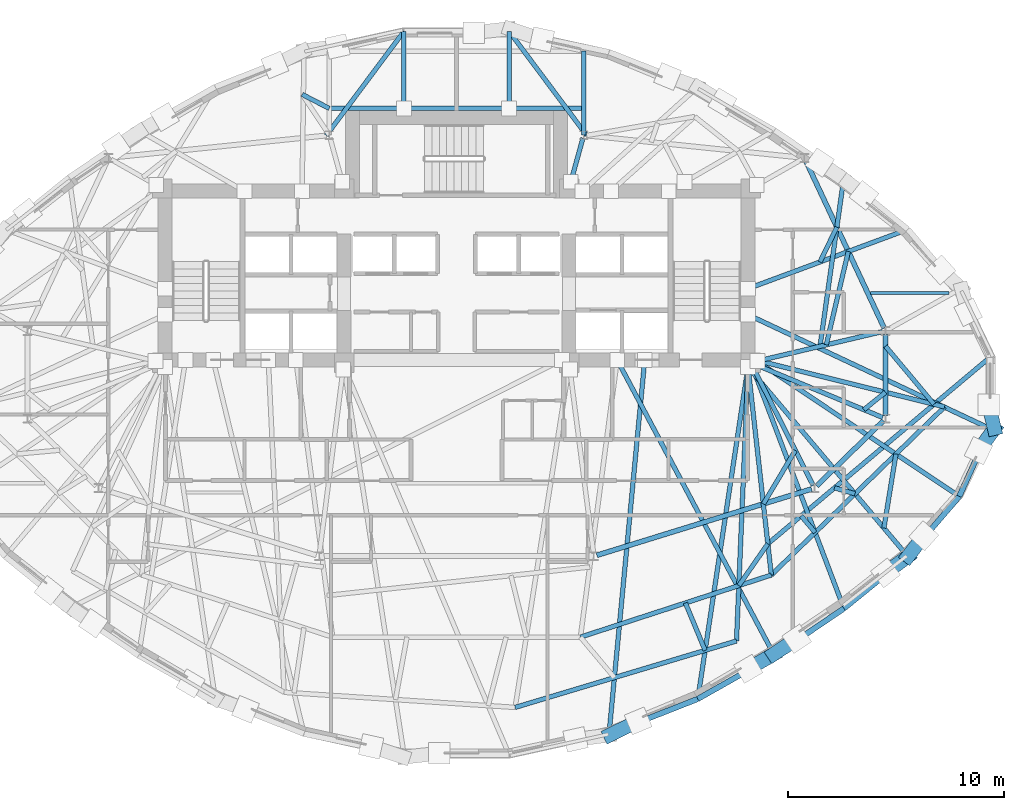
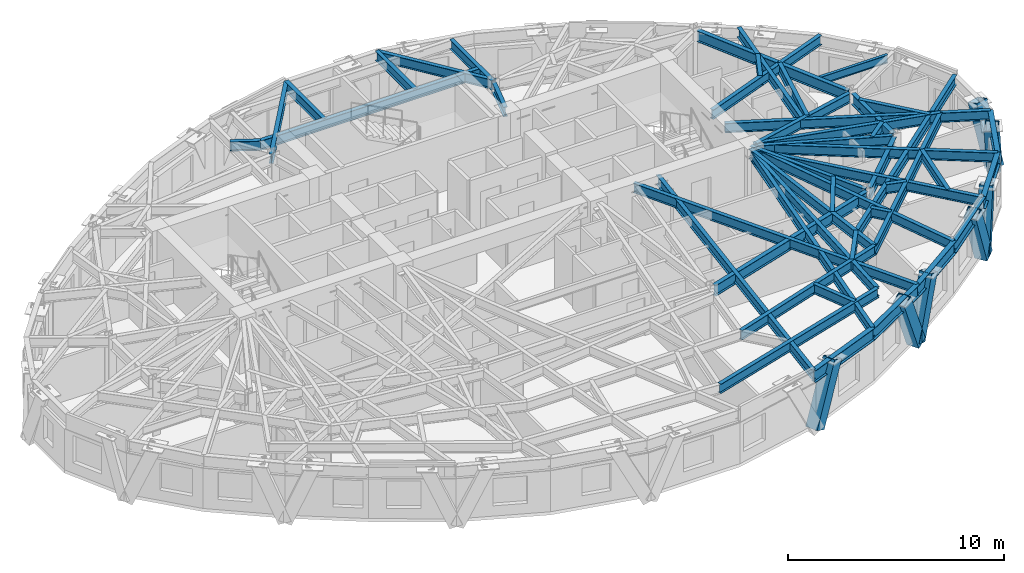
# One storey, part 3 of 14: 48 beams, 7 members.
"""IFC4 building model written with IfcOpenShell, lengths in metres."""

from ifc_helpers import new_model, si_unit, direction, frame, origin, origin_2d, place, context, subcontext, project, spatial, hollow_rectangle, i_section, extrude, material, material_profile, profile_set, type_object, element, save


model = new_model("IFC4")

# Units and contexts
model_context = context("Model", 3, precision=1e-05, world=origin(), true_north=direction((0.0, 1.0)))
body_context = subcontext(model_context, "Body", "Model", "MODEL_VIEW")
ifc_project = project(units=[si_unit("LENGTHUNIT", "METRE"), si_unit("AREAUNIT", "SQUARE_METRE"), si_unit("VOLUMEUNIT", "CUBIC_METRE"), si_unit("PLANEANGLEUNIT", "RADIAN"), si_unit("MASSUNIT", "GRAM", prefix="KILO")], contexts=[model_context])

# Site, building, storey
site_placement = place(None, origin())
site = spatial("IfcSite", under=ifc_project, at=site_placement, CompositionType="ELEMENT")
building_placement = place(site_placement, origin())
building = spatial("IfcBuilding", under=site, at=building_placement, Name="Keldmark Tower", CompositionType="ELEMENT")
storey_placement = place(building_placement, frame((0.0, 0.0, 185.39990234375)))
storey = spatial("IfcBuildingStorey", under=building, at=storey_placement, Name="L51", CompositionType="ELEMENT", Elevation=185.39990234375)

# Beam
ifc_material_1 = material(Name="Steel ASTM A992 Grade 50", Category="steel")
ifc_material_profile_1 = material_profile(ifc_material_1, i_section(OverallWidth=0.153076171875, OverallDepth=0.455078125, WebThickness=0.008056640625, FlangeThickness=0.01318359375, at=origin_2d()), Name="W18X40")
ifc_profile_set_1 = profile_set([ifc_material_profile_1], Name="Steel ASTM A992 Grade 50")
beam_type_1 = type_object("IfcBeamType", Name="Composite Floor Joist W18X40", PredefinedType="JOIST", material=ifc_profile_set_1)
beam_1_placement = place(storey_placement, frame((19.12451171875, 4.6201171875, 2.79248046875), z_axis=(1.0, 0.0, 0.0), x_axis=(0.0, 1.0, 0.0)))
element("IfcBeam", 1, at=beam_1_placement, inside=storey, type_object=beam_type_1, Name="L51 Composite Floor Joist J04", PredefinedType="JOIST", context=body_context, shape_type="SweptSolid", body=[
    extrude(i_section(OverallWidth=0.153076171875, OverallDepth=0.455078125, WebThickness=0.008056640625, FlangeThickness=0.01318359375, at=origin_2d()), origin(), (0.0, 0.0, 1.0), 3.628662109375),
])

# Members
ifc_material_2 = material(Name="Steel ASTM A572 Grade 50", Category="steel")
ifc_material_profile_2 = material_profile(ifc_material_2, hollow_rectangle(XDim=0.64990234375, YDim=0.64990234375, WallThickness=0.0400390625, at=origin_2d()), Name="BOX650X650X40")
ifc_profile_set_2 = profile_set([ifc_material_profile_2], Name="Steel ASTM A572 Grade 50")
member_type = type_object("IfcMemberType", Name="Diagrid Zone 3 Brace BOX650X650X40", PredefinedType="BRACE", material=ifc_profile_set_2)
member_1_placement = place(storey_placement, frame((7.083984375, -15.813232421875, -0.260009765625), z_axis=(0.377487237474, 0.187342404047, 0.906866147339), x_axis=(-0.44455162306, 0.895753233003, 0.0)))
element("IfcMember", 2, at=member_1_placement, inside=storey, type_object=member_type, Name="L51 Perimeter Diagrid Brace 13B", PredefinedType="BRACE", context=body_context, shape_type="SweptSolid", body=[
    extrude(hollow_rectangle(XDim=0.64990234375, YDim=0.64990234375, WallThickness=0.0400390625, at=origin_2d()), origin(), (0.0, 0.0, 1.0), 3.484619140625),
])
member_2_placement = place(storey_placement, frame((14.654541015625, -12.075927734375, -0.260009765625), z_axis=(-0.340100978366, -0.197397790075, 0.919437565574), x_axis=(0.501982989483, -0.864877493215, 0.0)))
element("IfcMember", 3, at=member_2_placement, inside=storey, type_object=member_type, Name="L51 Perimeter Diagrid Brace 14A", PredefinedType="BRACE", context=body_context, shape_type="SweptSolid", body=[
    extrude(hollow_rectangle(XDim=0.64990234375, YDim=0.64990234375, WallThickness=0.0400390625, at=origin_2d()), origin(), (0.0, 0.0, 1.0), 3.43701171875),
])
member_3_placement = place(storey_placement, frame((14.644775390625, -12.08251953125, -0.260009765625), z_axis=(0.316813120442, 0.209469717125, 0.925068583578), x_axis=(-0.551526230064, 0.834157549598, 0.0)))
element("IfcMember", 4, at=member_3_placement, inside=storey, type_object=member_type, Name="L51 Perimeter Diagrid Brace 14B", PredefinedType="BRACE", context=body_context, shape_type="SweptSolid", body=[
    extrude(hollow_rectangle(XDim=0.64990234375, YDim=0.64990234375, WallThickness=0.0400390625, at=origin_2d()), origin(), (0.0, 0.0, 1.0), 3.416015625),
])
member_4_placement = place(storey_placement, frame((20.87646484375, -7.54345703125, -0.260009765625), z_axis=(-0.305871065271, -0.227885727126, 0.924397634572), x_axis=(0.597450633982, -0.801905692681, 0.0)))
element("IfcMember", 5, at=member_4_placement, inside=storey, type_object=member_type, Name="L51 Perimeter Diagrid Brace 15A", PredefinedType="BRACE", context=body_context, shape_type="SweptSolid", body=[
    extrude(hollow_rectangle(XDim=0.64990234375, YDim=0.64990234375, WallThickness=0.0400390625, at=origin_2d()), origin(), (0.0, 0.0, 1.0), 3.418701171875),
])
member_5_placement = place(storey_placement, frame((20.8701171875, -7.55322265625, -0.260009765625), z_axis=(0.216571712892, 0.280647466507, 0.935058122642), x_axis=(-0.791683692694, 0.610931199664, 0.0)))
element("IfcMember", 6, at=member_5_placement, inside=storey, type_object=member_type, Name="L51 Perimeter Diagrid Brace 15B", PredefinedType="BRACE", context=body_context, shape_type="SweptSolid", body=[
    extrude(hollow_rectangle(XDim=0.64990234375, YDim=0.64990234375, WallThickness=0.0400390625, at=origin_2d()), origin(), (0.0, 0.0, 1.0), 3.379638671875),
])
member_6_placement = place(storey_placement, frame((24.865478515625, -1.646728515625, -0.260009765625), z_axis=(-0.216765008416, -0.301620403835, 0.928460049284), x_axis=(0.812046830556, -0.583592276323, 0.0)))
element("IfcMember", 7, at=member_6_placement, inside=storey, type_object=member_type, Name="L51 Perimeter Diagrid Brace 16A", PredefinedType="BRACE", context=body_context, shape_type="SweptSolid", body=[
    extrude(hollow_rectangle(XDim=0.64990234375, YDim=0.64990234375, WallThickness=0.0400390625, at=origin_2d()), origin(), (0.0, 0.0, 1.0), 3.403564453125),
])
member_7_placement = place(storey_placement, frame((24.863037109375, -1.658203125, -0.260009765625), z_axis=(-0.078726859085, 0.331756727213, 0.940074228775), x_axis=(-0.97297963137, -0.230890963311, 0.0)))
element("IfcMember", 8, at=member_7_placement, inside=storey, type_object=member_type, Name="L51 Perimeter Diagrid Brace 16B", PredefinedType="BRACE", context=body_context, shape_type="SweptSolid", body=[
    extrude(hollow_rectangle(XDim=0.64990234375, YDim=0.64990234375, WallThickness=0.0400390625, at=origin_2d()), origin(), (0.0, 0.0, 1.0), 3.361572265625),
])

# Beams
ifc_material_3 = material(Name="Steel ASTM A992 Grade 50", Category="steel")
ifc_material_profile_3 = material_profile(ifc_material_3, i_section(OverallWidth=0.22900390625, OverallDepth=0.612060546875, WebThickness=0.011962890625, FlangeThickness=0.01953125, at=origin_2d()), Name="W24X84")
ifc_profile_set_3 = profile_set([ifc_material_profile_3], Name="Steel ASTM A992 Grade 50")
beam_type_2 = type_object("IfcBeamType", Name="Primary Floor Girder W24X84", PredefinedType="BEAM", material=ifc_profile_set_3)
beam_2_placement = place(storey_placement, frame((19.76904296875, 2.99609375, 2.714111328125), z_axis=(-0.424526823774, 0.905415360979, 0.0), x_axis=(-0.905415360979, -0.424526823774, 0.0)))
element("IfcBeam", 9, at=beam_2_placement, inside=storey, type_object=beam_type_2, Name="L51 Floor Ring Girder FG-R01", PredefinedType="BEAM", context=body_context, shape_type="SweptSolid", body=[
    extrude(i_section(OverallWidth=0.22900390625, OverallDepth=0.612060546875, WebThickness=0.011962890625, FlangeThickness=0.01953125, at=origin_2d()), origin(), (0.0, 0.0, 1.0), 8.54638671875),
])
beam_3_placement = place(storey_placement, frame((6.485107421875, -7.5048828125, 2.714111328125), z_axis=(0.955494563145, 0.295008711398, 0.0), x_axis=(-0.295008711398, 0.955494563145, 0.0)))
element("IfcBeam", 10, at=beam_3_placement, inside=storey, type_object=beam_type_2, Name="L51 Floor Ring Girder FG-R10", PredefinedType="BEAM", context=body_context, shape_type="SweptSolid", body=[
    extrude(i_section(OverallWidth=0.22900390625, OverallDepth=0.612060546875, WebThickness=0.011962890625, FlangeThickness=0.01953125, at=origin_2d()), origin(), (0.0, 0.0, 1.0), 10.39013671875),
])
beam_4_placement = place(storey_placement, frame((16.646728515625, -4.300537109375, 2.714111328125), z_axis=(0.714964509815, 0.699160746684, 0.0), x_axis=(-0.699160746684, 0.714964509815, 0.0)))
element("IfcBeam", 11, at=beam_4_placement, inside=storey, type_object=beam_type_2, Name="L51 Floor Ring Girder FG-R11", PredefinedType="BEAM", context=body_context, shape_type="SweptSolid", body=[
    extrude(i_section(OverallWidth=0.22900390625, OverallDepth=0.612060546875, WebThickness=0.011962890625, FlangeThickness=0.01953125, at=origin_2d()), origin(), (0.0, 0.0, 1.0), 4.31005859375),
])
beam_5_placement = place(storey_placement, frame((19.828369140625, -1.04931640625, 2.714111328125), z_axis=(0.0, 1.0, 0.0), x_axis=(-1.0, 0.0, 0.0)))
element("IfcBeam", 12, at=beam_5_placement, inside=storey, type_object=beam_type_2, Name="L51 Floor Ring Girder FG-R12", PredefinedType="BEAM", context=body_context, shape_type="SweptSolid", body=[
    extrude(i_section(OverallWidth=0.22900390625, OverallDepth=0.612060546875, WebThickness=0.011962890625, FlangeThickness=0.01953125, at=origin_2d()), origin(), (0.0, 0.0, 1.0), 3.778564453125),
])
ifc_material_4 = material(Name="Steel ASTM A992 Grade 50", Category="steel")
ifc_material_profile_4 = material_profile(ifc_material_4, i_section(OverallWidth=0.2099609375, OverallDepth=0.537109375, WebThickness=0.010986328125, FlangeThickness=0.017333984375, at=origin_2d()), Name="W21X68")
ifc_profile_set_4 = profile_set([ifc_material_profile_4], Name="Steel ASTM A992 Grade 50")
beam_type_3 = type_object("IfcBeamType", Name="Radial Tie Girder W21X68", PredefinedType="BEAM", material=ifc_profile_set_4)
beam_6_placement = place(storey_placement, frame((19.692138671875, 2.837158203125, 2.751708984375), z_axis=(-0.973280062348, -0.229621253887, 0.0), x_axis=(0.229621253887, -0.973280062348, 0.0)))
element("IfcBeam", 13, at=beam_6_placement, inside=storey, type_object=beam_type_3, Name="L51 Floor Radial Girder FG-C01", PredefinedType="BEAM", context=body_context, shape_type="SweptSolid", body=[
    extrude(i_section(OverallWidth=0.2099609375, OverallDepth=0.537109375, WebThickness=0.010986328125, FlangeThickness=0.017333984375, at=origin_2d()), origin(), (0.0, 0.0, 1.0), 5.939208984375),
])
beam_7_placement = place(storey_placement, frame((5.843017578125, 11.7802734375, 2.751708984375), z_axis=(-0.265992411, -0.963975122755, 0.0), x_axis=(0.963975122755, -0.265992411, 0.0)))
element("IfcBeam", 14, at=beam_7_placement, inside=storey, type_object=beam_type_3, Name="L51 Floor Radial Girder FG-C03", PredefinedType="BEAM", context=body_context, shape_type="SweptSolid", body=[
    extrude(i_section(OverallWidth=0.2099609375, OverallDepth=0.537109375, WebThickness=0.010986328125, FlangeThickness=0.017333984375, at=origin_2d()), origin(), (0.0, 0.0, 1.0), 2.09716796875),
])
beam_8_placement = place(storey_placement, frame((16.4833984375, -4.273681640625, 2.751708984375), z_axis=(-0.453036691775, 0.891491870914, 0.0), x_axis=(-0.891491870914, -0.453036691775, 0.0)))
element("IfcBeam", 15, at=beam_8_placement, inside=storey, type_object=beam_type_3, Name="L51 Floor Radial Girder FG-C11", PredefinedType="BEAM", context=body_context, shape_type="SweptSolid", body=[
    extrude(i_section(OverallWidth=0.2099609375, OverallDepth=0.537109375, WebThickness=0.010986328125, FlangeThickness=0.017333984375, at=origin_2d()), origin(), (0.0, 0.0, 1.0), 6.044189453125),
])
beam_9_placement = place(storey_placement, frame((19.69921875, -1.135498046875, 2.751708984375), z_axis=(-0.923393794893, 0.383854008124, 0.0), x_axis=(-0.383854008124, -0.923393794893, 0.0)))
element("IfcBeam", 16, at=beam_9_placement, inside=storey, type_object=beam_type_3, Name="L51 Floor Radial Girder FG-C12", PredefinedType="BEAM", context=body_context, shape_type="SweptSolid", body=[
    extrude(i_section(OverallWidth=0.2099609375, OverallDepth=0.537109375, WebThickness=0.010986328125, FlangeThickness=0.017333984375, at=origin_2d()), origin(), (0.0, 0.0, 1.0), 6.28515625),
])
beam_10_placement = place(storey_placement, frame((15.661865234375, -2.6572265625, 2.751708984375), z_axis=(-0.513610401836, -0.858023516651, 0.0), x_axis=(0.858023516651, -0.513610401836, 0.0)))
element("IfcBeam", 17, at=beam_10_placement, inside=storey, type_object=beam_type_3, Name="L51 Framing Pin Header PH-005", PredefinedType="BEAM", context=body_context, shape_type="SweptSolid", body=[
    extrude(i_section(OverallWidth=0.2099609375, OverallDepth=0.537109375, WebThickness=0.010986328125, FlangeThickness=0.017333984375, at=origin_2d()), origin(), (0.0, 0.0, 1.0), 2.880126953125),
])
beam_11_placement = place(storey_placement, frame((13.47509765625, 1.199951171875, 2.751708984375), z_axis=(0.111093361352, -0.993809974323, 0.0), x_axis=(0.993809974323, 0.111093361352, 0.0)))
element("IfcBeam", 18, at=beam_11_placement, inside=storey, type_object=beam_type_3, Name="L51 Sub-Ring Step Girder STP1-M11", PredefinedType="BEAM", context=body_context, shape_type="SweptSolid", body=[
    extrude(i_section(OverallWidth=0.2099609375, OverallDepth=0.537109375, WebThickness=0.010986328125, FlangeThickness=0.017333984375, at=origin_2d()), origin(), (0.0, 0.0, 1.0), 9.676025390625),
])
beam_12_placement = place(storey_placement, frame((18.82861328125, -0.773681640625, 2.751708984375), z_axis=(0.77873068282, 0.627358369383, 0.0), x_axis=(-0.627358369383, 0.77873068282, 0.0)))
element("IfcBeam", 19, at=beam_12_placement, inside=storey, type_object=beam_type_3, Name="L51 Framing Pin Header PH-006", PredefinedType="BEAM", context=body_context, shape_type="SweptSolid", body=[
    extrude(i_section(OverallWidth=0.2099609375, OverallDepth=0.537109375, WebThickness=0.010986328125, FlangeThickness=0.017333984375, at=origin_2d()), origin(), (0.0, 0.0, 1.0), 1.283935546875),
])
beam_13_placement = place(storey_placement, frame((13.800048828125, 1.52490234375, 2.751708984375), z_axis=(0.97066389738, -0.240440425727, 0.0), x_axis=(0.240440425727, 0.97066389738, 0.0)))
element("IfcBeam", 20, at=beam_13_placement, inside=storey, type_object=beam_type_3, Name="L51 Sub-Ring Step Girder STP1-M12", PredefinedType="BEAM", context=body_context, shape_type="SweptSolid", body=[
    extrude(i_section(OverallWidth=0.2099609375, OverallDepth=0.537109375, WebThickness=0.010986328125, FlangeThickness=0.017333984375, at=origin_2d()), origin(), (0.0, 0.0, 1.0), 9.022705078125),
])
beam_14_placement = place(storey_placement, frame((5.727294921875, -11.28564453125, 2.751708984375), z_axis=(0.950971006034, 0.309280044106, 0.0), x_axis=(-0.309280044106, 0.950971006034, 0.0)))
element("IfcBeam", 21, at=beam_14_placement, inside=storey, type_object=beam_type_3, Name="L51 Perimeter Collector Ring Beam CRG1-M10", PredefinedType="BEAM", context=body_context, shape_type="SweptSolid", body=[
    extrude(i_section(OverallWidth=0.2099609375, OverallDepth=0.537109375, WebThickness=0.010986328125, FlangeThickness=0.017333984375, at=origin_2d()), origin(), (0.0, 0.0, 1.0), 9.277587890625),
])
beam_15_placement = place(storey_placement, frame((14.550048828125, -8.416259765625, 2.751708984375), z_axis=(0.717616387202, 0.696438598025, 0.0), x_axis=(-0.696438598025, 0.717616387202, 0.0)))
element("IfcBeam", 22, at=beam_15_placement, inside=storey, type_object=beam_type_3, Name="L51 Perimeter Collector Ring Beam CRG1-M11", PredefinedType="BEAM", context=body_context, shape_type="SweptSolid", body=[
    extrude(i_section(OverallWidth=0.2099609375, OverallDepth=0.537109375, WebThickness=0.010986328125, FlangeThickness=0.017333984375, at=origin_2d()), origin(), (0.0, 0.0, 1.0), 11.1591796875),
])
beam_16_placement = place(storey_placement, frame((14.388916015625, -6.973876953125, 2.751708984375), z_axis=(-0.570187456036, -0.821514616413, 0.0), x_axis=(0.821514616413, -0.570187456036, 0.0)))
element("IfcBeam", 23, at=beam_16_placement, inside=storey, type_object=beam_type_3, Name="L51 Framing Pin Header PH-010", PredefinedType="BEAM", context=body_context, shape_type="SweptSolid", body=[
    extrude(i_section(OverallWidth=0.2099609375, OverallDepth=0.537109375, WebThickness=0.010986328125, FlangeThickness=0.017333984375, at=origin_2d()), origin(), (0.0, 0.0, 1.0), 2.349853515625),
])
beam_17_placement = place(storey_placement, frame((13.47509765625, 1.199951171875, 2.751708984375), z_axis=(-0.042120809083, -0.999112524915, 0.0), x_axis=(0.999112524915, -0.042120809083, 0.0)))
element("IfcBeam", 24, at=beam_17_placement, inside=storey, type_object=beam_type_3, Name="L51 Sub-Ring Step Girder STP2-M11", PredefinedType="BEAM", context=body_context, shape_type="SweptSolid", body=[
    extrude(i_section(OverallWidth=0.2099609375, OverallDepth=0.537109375, WebThickness=0.010986328125, FlangeThickness=0.017333984375, at=origin_2d()), origin(), (0.0, 0.0, 1.0), 12.67626953125),
])
beam_18_placement = place(storey_placement, frame((2.708984375, -14.53564453125, 2.751708984375), z_axis=(0.957803009493, 0.287425459913, 0.0), x_axis=(-0.287425459913, 0.957803009493, 0.0)))
element("IfcBeam", 25, at=beam_18_placement, inside=storey, type_object=beam_type_3, Name="L51 Perimeter Collector Ring Beam CRG2-M10", PredefinedType="BEAM", context=body_context, shape_type="SweptSolid", body=[
    extrude(i_section(OverallWidth=0.2099609375, OverallDepth=0.537109375, WebThickness=0.010986328125, FlangeThickness=0.017333984375, at=origin_2d()), origin(), (0.0, 0.0, 1.0), 10.682861328125),
])
beam_19_placement = place(storey_placement, frame((19.828369140625, 2.162353515625, 2.751708984375), z_axis=(0.641048404866, -0.767500451218, 0.0), x_axis=(0.767500451218, 0.641048404866, 0.0)))
element("IfcBeam", 26, at=beam_19_placement, inside=storey, type_object=beam_type_3, Name="L51 Framing Pin Header PH-011", PredefinedType="BEAM", context=body_context, shape_type="SweptSolid", body=[
    extrude(i_section(OverallWidth=0.2099609375, OverallDepth=0.537109375, WebThickness=0.010986328125, FlangeThickness=0.017333984375, at=origin_2d()), origin(), (0.0, 0.0, 1.0), 3.500244140625),
])
beam_20_placement = place(storey_placement, frame((14.388916015625, -6.973876953125, 2.751708984375), z_axis=(0.765919331474, 0.642936682477, 0.0), x_axis=(-0.642936682477, 0.765919331474, 0.0)))
element("IfcBeam", 27, at=beam_20_placement, inside=storey, type_object=beam_type_3, Name="L51 Perimeter Radial Tie Girder RT-01", PredefinedType="BEAM", context=body_context, shape_type="SweptSolid", body=[
    extrude(i_section(OverallWidth=0.2099609375, OverallDepth=0.537109375, WebThickness=0.010986328125, FlangeThickness=0.017333984375, at=origin_2d()), origin(), (0.0, 0.0, 1.0), 13.40771484375),
])
beam_21_placement = place(storey_placement, frame((17.0908203125, 2.223388671875, 2.751708984375), z_axis=(0.229401484182, 0.973331885358, 0.0), x_axis=(-0.973331885358, 0.229401484182, 0.0)))
element("IfcBeam", 28, at=beam_21_placement, inside=storey, type_object=beam_type_3, Name="L51 Framing Pin Header PH-012", PredefinedType="BEAM", context=body_context, shape_type="SweptSolid", body=[
    extrude(i_section(OverallWidth=0.2099609375, OverallDepth=0.537109375, WebThickness=0.010986328125, FlangeThickness=0.017333984375, at=origin_2d()), origin(), (0.0, 0.0, 1.0), 4.43359375),
])
beam_22_placement = place(storey_placement, frame((13.47509765625, 4.8212890625, 2.751708984375), z_axis=(0.937641815851, 0.347602970596, 0.0), x_axis=(-0.347602970596, 0.937641815851, 0.0)))
element("IfcBeam", 29, at=beam_22_placement, inside=storey, type_object=beam_type_3, Name="L51 Perimeter Radial Tie Girder RT-03", PredefinedType="BEAM", context=body_context, shape_type="SweptSolid", body=[
    extrude(i_section(OverallWidth=0.2099609375, OverallDepth=0.537109375, WebThickness=0.010986328125, FlangeThickness=0.017333984375, at=origin_2d()), origin(), (0.0, 0.0, 1.0), 7.87890625),
])
beam_23_placement = place(storey_placement, frame((16.799560546875, 6.0537109375, 2.751708984375), z_axis=(0.436648434396, 0.899632227491, 0.0), x_axis=(-0.899632227491, 0.436648434396, 0.0)))
element("IfcBeam", 30, at=beam_23_placement, inside=storey, type_object=beam_type_3, Name="L51 Framing Pin Header PH-013", PredefinedType="BEAM", context=body_context, shape_type="SweptSolid", body=[
    extrude(i_section(OverallWidth=0.2099609375, OverallDepth=0.537109375, WebThickness=0.010986328125, FlangeThickness=0.017333984375, at=origin_2d()), origin(), (0.0, 0.0, 1.0), 1.789306640625),
])
beam_24_placement = place(storey_placement, frame((16.8017578125, 2.1552734375, 2.751708984375), z_axis=(0.140021004726, 0.990148533421, 0.0), x_axis=(-0.990148533421, 0.140021004726, 0.0)))
element("IfcBeam", 31, at=beam_24_placement, inside=storey, type_object=beam_type_3, Name="L51 Perimeter Radial Tie Girder RT-04", PredefinedType="BEAM", context=body_context, shape_type="SweptSolid", body=[
    extrude(i_section(OverallWidth=0.2099609375, OverallDepth=0.537109375, WebThickness=0.010986328125, FlangeThickness=0.017333984375, at=origin_2d()), origin(), (0.0, 0.0, 1.0), 7.884521484375),
])
beam_25_placement = place(storey_placement, frame((8.699951171875, 1.52490234375, 2.751708984375), z_axis=(-0.095077234677, -0.995469898815, 0.0), x_axis=(0.995469898815, -0.095077234677, 0.0)))
element("IfcBeam", 32, at=beam_25_placement, inside=storey, type_object=beam_type_3, Name="L51 Perimeter Radial Tie Girder RT-26", PredefinedType="BEAM", context=body_context, shape_type="SweptSolid", body=[
    extrude(i_section(OverallWidth=0.2099609375, OverallDepth=0.537109375, WebThickness=0.010986328125, FlangeThickness=0.017333984375, at=origin_2d()), origin(), (0.0, 0.0, 1.0), 17.3583984375),
])
beam_26_placement = place(storey_placement, frame((10.579833984375, -9.70751953125, 2.751708984375), z_axis=(0.383783029348, -0.92342329751, 0.0), x_axis=(0.92342329751, 0.383783029348, 0.0)))
element("IfcBeam", 33, at=beam_26_placement, inside=storey, type_object=beam_type_3, Name="L51 Framing Pin Header PH-029", PredefinedType="BEAM", context=body_context, shape_type="SweptSolid", body=[
    extrude(i_section(OverallWidth=0.2099609375, OverallDepth=0.537109375, WebThickness=0.010986328125, FlangeThickness=0.017333984375, at=origin_2d()), origin(), (0.0, 0.0, 1.0), 2.374755859375),
])
beam_27_placement = place(storey_placement, frame((13.47509765625, 1.199951171875, 2.751708984375), z_axis=(-0.149721959466, -0.988728140013, 0.0), x_axis=(0.988728140013, -0.149721959466, 0.0)))
element("IfcBeam", 34, at=beam_27_placement, inside=storey, type_object=beam_type_3, Name="L51 Perimeter Radial Tie Girder RT-27", PredefinedType="BEAM", context=body_context, shape_type="SweptSolid", body=[
    extrude(i_section(OverallWidth=0.2099609375, OverallDepth=0.537109375, WebThickness=0.010986328125, FlangeThickness=0.017333984375, at=origin_2d()), origin(), (0.0, 0.0, 1.0), 15.5185546875),
])
beam_28_placement = place(storey_placement, frame((7.425048828125, 1.52490234375, 2.751708984375), z_axis=(0.469702961484, -0.882824517089, 0.0), x_axis=(0.882824517089, 0.469702961484, 0.0)))
element("IfcBeam", 35, at=beam_28_placement, inside=storey, type_object=beam_type_3, Name="L51 Perimeter Radial Tie Girder RT-28", PredefinedType="BEAM", context=body_context, shape_type="SweptSolid", body=[
    extrude(i_section(OverallWidth=0.2099609375, OverallDepth=0.537109375, WebThickness=0.010986328125, FlangeThickness=0.017333984375, at=origin_2d()), origin(), (0.0, 0.0, 1.0), 15.477294921875),
])
beam_29_placement = place(storey_placement, frame((15.92919921875, -5.680908203125, 2.751708984375), z_axis=(0.642713452348, -0.766106662398, 0.0), x_axis=(0.766106662398, 0.642713452348, 0.0)))
element("IfcBeam", 36, at=beam_29_placement, inside=storey, type_object=beam_type_3, Name="L51 Framing Pin Header PH-030", PredefinedType="BEAM", context=body_context, shape_type="SweptSolid", body=[
    extrude(i_section(OverallWidth=0.2099609375, OverallDepth=0.537109375, WebThickness=0.010986328125, FlangeThickness=0.017333984375, at=origin_2d()), origin(), (0.0, 0.0, 1.0), 1.005126953125),
])
beam_30_placement = place(storey_placement, frame((13.60009765625, 1.39990234375, 2.751708984375), z_axis=(0.354360445012, -0.935108910775, 0.0), x_axis=(0.935108910775, 0.354360445012, 0.0)))
element("IfcBeam", 37, at=beam_30_placement, inside=storey, type_object=beam_type_3, Name="L51 Perimeter Radial Tie Girder RT-29", PredefinedType="BEAM", context=body_context, shape_type="SweptSolid", body=[
    extrude(i_section(OverallWidth=0.2099609375, OverallDepth=0.537109375, WebThickness=0.010986328125, FlangeThickness=0.017333984375, at=origin_2d()), origin(), (0.0, 0.0, 1.0), 12.150634765625),
])
beam_31_placement = place(storey_placement, frame((17.469482421875, -4.3876953125, 2.751708984375), z_axis=(0.960727358958, -0.277494039123, 0.0), x_axis=(0.277494039123, 0.960727358958, 0.0)))
element("IfcBeam", 38, at=beam_31_placement, inside=storey, type_object=beam_type_3, Name="L51 Framing Pin Header PH-031", PredefinedType="BEAM", context=body_context, shape_type="SweptSolid", body=[
    extrude(i_section(OverallWidth=0.2099609375, OverallDepth=0.537109375, WebThickness=0.010986328125, FlangeThickness=0.017333984375, at=origin_2d()), origin(), (0.0, 0.0, 1.0), 0.988037109375),
])
beam_32_placement = place(storey_placement, frame((13.47509765625, 1.199951171875, 2.751708984375), z_axis=(0.644689299827, -0.764444704795, 0.0), x_axis=(0.764444704795, 0.644689299827, 0.0)))
element("IfcBeam", 39, at=beam_32_placement, inside=storey, type_object=beam_type_3, Name="L51 Perimeter Radial Tie Girder RT-30", PredefinedType="BEAM", context=body_context, shape_type="SweptSolid", body=[
    extrude(i_section(OverallWidth=0.2099609375, OverallDepth=0.537109375, WebThickness=0.010986328125, FlangeThickness=0.017333984375, at=origin_2d()), origin(), (0.0, 0.0, 1.0), 11.459228515625),
])
beam_33_placement = place(storey_placement, frame((19.754638671875, -6.24609375, 2.751708984375), z_axis=(0.16076653761, 0.986992462172, 0.0), x_axis=(-0.986992462172, 0.16076653761, 0.0)))
element("IfcBeam", 40, at=beam_33_placement, inside=storey, type_object=beam_type_3, Name="L51 Framing Pin Header PH-032", PredefinedType="BEAM", context=body_context, shape_type="SweptSolid", body=[
    extrude(i_section(OverallWidth=0.2099609375, OverallDepth=0.537109375, WebThickness=0.010986328125, FlangeThickness=0.017333984375, at=origin_2d()), origin(), (0.0, 0.0, 1.0), 3.467041015625),
])
beam_34_placement = place(storey_placement, frame((13.800048828125, 1.52490234375, 2.751708984375), z_axis=(0.831586742156, -0.555394895791, 0.0), x_axis=(0.555394895791, 0.831586742156, 0.0)))
element("IfcBeam", 41, at=beam_34_placement, inside=storey, type_object=beam_type_3, Name="L51 Perimeter Radial Tie Girder RT-31", PredefinedType="BEAM", context=body_context, shape_type="SweptSolid", body=[
    extrude(i_section(OverallWidth=0.2099609375, OverallDepth=0.537109375, WebThickness=0.010986328125, FlangeThickness=0.017333984375, at=origin_2d()), origin(), (0.0, 0.0, 1.0), 11.350830078125),
])
beam_35_placement = place(storey_placement, frame((13.47509765625, 3.6142578125, 2.751708984375), z_axis=(0.904877789308, -0.425671453609, 0.0), x_axis=(0.425671453609, 0.904877789308, 0.0)))
element("IfcBeam", 42, at=beam_35_placement, inside=storey, type_object=beam_type_3, Name="L51 Perimeter Radial Tie Girder RT-32", PredefinedType="BEAM", context=body_context, shape_type="SweptSolid", body=[
    extrude(i_section(OverallWidth=0.2099609375, OverallDepth=0.537109375, WebThickness=0.010986328125, FlangeThickness=0.017333984375, at=origin_2d()), origin(), (0.0, 0.0, 1.0), 12.358642578125),
])
beam_36_placement = place(storey_placement, frame((5.880126953125, 11.915283203125, 2.751708984375), z_axis=(0.0, 1.0, 0.0), x_axis=(-1.0, 0.0, 0.0)))
element("IfcBeam", 43, at=beam_36_placement, inside=storey, type_object=beam_type_3, Name="L51 North Column Cantilever Girder East FG-TCN-E", PredefinedType="BEAM", context=body_context, shape_type="SweptSolid", body=[
    extrude(i_section(OverallWidth=0.2099609375, OverallDepth=0.537109375, WebThickness=0.010986328125, FlangeThickness=0.017333984375, at=origin_2d()), origin(), (0.0, 0.0, 1.0), 3.880126953125),
])
beam_37_placement = place(storey_placement, frame((-5.880126953125, 13.14990234375, 2.751708984375), z_axis=(1.0, 0.0, 0.0), x_axis=(0.0, 1.0, 0.0)))
element("IfcBeam", 44, at=beam_37_placement, inside=storey, type_object=beam_type_3, Name="L51 North Inner Header Girder FG-TCN-H0", PredefinedType="BEAM", context=body_context, shape_type="SweptSolid", body=[
    extrude(i_section(OverallWidth=0.2099609375, OverallDepth=0.537109375, WebThickness=0.010986328125, FlangeThickness=0.017333984375, at=origin_2d()), origin(), (0.0, 0.0, 1.0), 11.76025390625),
])
for number, where, z_axis, x_axis, name in (
    (45, (2.4287109375, 13.14990234375, 2.751708984375), (0.0, 1.0, 0.0), (-1.0, 0.0, 0.0), "L51 North Continuous Radial Girder RT-08N"),
    (46, (-2.4287109375, 13.14990234375, 2.751708984375), (0.0, 1.0, 0.0), (-1.0, 0.0, 0.0), "L51 North Continuous Radial Girder RT-09N"),
):
    element("IfcBeam", number, at=place(storey_placement, frame(where, z_axis=z_axis, x_axis=x_axis)), inside=storey, type_object=beam_type_3, Name=name, PredefinedType="BEAM", context=body_context, shape_type="SweptSolid", body=[
        extrude(i_section(OverallWidth=0.2099609375, OverallDepth=0.537109375, WebThickness=0.010986328125, FlangeThickness=0.017333984375, at=origin_2d()), origin(), (0.0, 0.0, 1.0), 3.56689453125),
    ])
for number, where, z_axis, x_axis, name in (
    (47, (6.01953125, 11.90087890625, 2.751708984375), (-0.597747741755, 0.80168425033, 0.0), (-0.80168425033, -0.597747741755, 0.0), "L51 Straddling Support Chord RT-07RB"),
    (48, (-2.4287109375, 16.716796875, 2.751708984375), (-0.597747741755, -0.80168425033, 0.0), (0.80168425033, -0.597747741755, 0.0), "L51 Straddling Support Chord RT-10RB"),
):
    element("IfcBeam", number, at=place(storey_placement, frame(where, z_axis=z_axis, x_axis=x_axis)), inside=storey, type_object=beam_type_3, Name=name, PredefinedType="BEAM", context=body_context, shape_type="SweptSolid", body=[
        extrude(i_section(OverallWidth=0.2099609375, OverallDepth=0.537109375, WebThickness=0.010986328125, FlangeThickness=0.017333984375, at=origin_2d()), origin(), (0.0, 0.0, 1.0), 6.00732421875),
    ])
beam_38_placement = place(storey_placement, frame((-7.133544921875, 13.79931640625, 2.751708984375), z_axis=(0.887901069249, -0.460034445696, 0.0), x_axis=(0.460034445696, 0.887901069249, 0.0)))
element("IfcBeam", 49, at=beam_38_placement, inside=storey, type_object=beam_type_3, Name="L51 Column Step Chord RT-10RK", PredefinedType="BEAM", context=body_context, shape_type="SweptSolid", body=[
    extrude(i_section(OverallWidth=0.2099609375, OverallDepth=0.537109375, WebThickness=0.010986328125, FlangeThickness=0.017333984375, at=origin_2d()), origin(), (0.0, 0.0, 1.0), 1.41162109375),
])
ifc_material_5 = material(Name="Steel ASTM A992 Grade 50", Category="steel")
ifc_material_profile_5 = material_profile(ifc_material_5, i_section(OverallWidth=0.256103515625, OverallDepth=0.693115234375, WebThickness=0.014404296875, FlangeThickness=0.023681640625, at=origin_2d()), Name="W27X114")
ifc_profile_set_5 = profile_set([ifc_material_profile_5], Name="Steel ASTM A992 Grade 50")
beam_type_4 = type_object("IfcBeamType", Name="Spandrel Ring Beam W27X114", PredefinedType="SPANDREL", material=ifc_profile_set_5)
beam_39_placement = place(storey_placement, frame((7.049560546875, -15.7548828125, 2.673583984375), z_axis=(0.930785156352, 0.365566673418, 0.0), x_axis=(-0.365566673418, 0.930785156352, 0.0)))
element("IfcBeam", 50, at=beam_39_placement, inside=storey, type_object=beam_type_4, Name="L51 Perimeter Spandrel Ring Beam SRB-26", PredefinedType="SPANDREL", context=body_context, shape_type="SweptSolid", body=[
    extrude(i_section(OverallWidth=0.256103515625, OverallDepth=0.693115234375, WebThickness=0.014404296875, FlangeThickness=0.023681640625, at=origin_2d()), origin(), (0.0, 0.0, 1.0), 4.406982421875),
])
beam_40_placement = place(storey_placement, frame((11.151611328125, -14.143798828125, 2.673583984375), z_axis=(0.870331543701, 0.492466246598, 0.0), x_axis=(-0.492466246598, 0.870331543701, 0.0)))
element("IfcBeam", 51, at=beam_40_placement, inside=storey, type_object=beam_type_4, Name="L51 Perimeter Spandrel Ring Beam SRB-27", PredefinedType="SPANDREL", context=body_context, shape_type="SweptSolid", body=[
    extrude(i_section(OverallWidth=0.256103515625, OverallDepth=0.693115234375, WebThickness=0.014404296875, FlangeThickness=0.023681640625, at=origin_2d()), origin(), (0.0, 0.0, 1.0), 4.071044921875),
])
beam_41_placement = place(storey_placement, frame((14.69482421875, -12.138916015625, 2.673583984375), z_axis=(0.82772633423, 0.56113199483, 0.0), x_axis=(-0.56113199483, 0.82772633423, 0.0)))
element("IfcBeam", 52, at=beam_41_placement, inside=storey, type_object=beam_type_4, Name="L51 Perimeter Spandrel Ring Beam SRB-28", PredefinedType="SPANDREL", context=body_context, shape_type="SweptSolid", body=[
    extrude(i_section(OverallWidth=0.256103515625, OverallDepth=0.693115234375, WebThickness=0.014404296875, FlangeThickness=0.023681640625, at=origin_2d()), origin(), (0.0, 0.0, 1.0), 3.879150390625),
])
beam_42_placement = place(storey_placement, frame((17.90576171875, -9.962158203125, 2.673583984375), z_axis=(0.776176722502, 0.630515420467, 0.0), x_axis=(-0.630515420467, 0.776176722502, 0.0)))
element("IfcBeam", 53, at=beam_42_placement, inside=storey, type_object=beam_type_4, Name="L51 Perimeter Spandrel Ring Beam SRB-29", PredefinedType="SPANDREL", context=body_context, shape_type="SweptSolid", body=[
    extrude(i_section(OverallWidth=0.256103515625, OverallDepth=0.693115234375, WebThickness=0.014404296875, FlangeThickness=0.023681640625, at=origin_2d()), origin(), (0.0, 0.0, 1.0), 3.809814453125),
])
beam_43_placement = place(storey_placement, frame((20.86279296875, -7.56005859375, 2.673583984375), z_axis=(0.649680381306, 0.760207473092, 0.0), x_axis=(-0.760207473092, 0.649680381306, 0.0)))
element("IfcBeam", 54, at=beam_43_placement, inside=storey, type_object=beam_type_4, Name="L51 Perimeter Spandrel Ring Beam SRB-30", PredefinedType="SPANDREL", context=body_context, shape_type="SweptSolid", body=[
    extrude(i_section(OverallWidth=0.256103515625, OverallDepth=0.693115234375, WebThickness=0.014404296875, FlangeThickness=0.023681640625, at=origin_2d()), origin(), (0.0, 0.0, 1.0), 3.657958984375),
])
beam_44_placement = place(storey_placement, frame((23.2392578125, -4.779296875, 2.673583984375), z_axis=(0.412583132773, 0.91091995178, 0.0), x_axis=(-0.91091995178, 0.412583132773, 0.0)))
element("IfcBeam", 55, at=beam_44_placement, inside=storey, type_object=beam_type_4, Name="L51 Perimeter Spandrel Ring Beam SRB-31", PredefinedType="SPANDREL", context=body_context, shape_type="SweptSolid", body=[
    extrude(i_section(OverallWidth=0.256103515625, OverallDepth=0.693115234375, WebThickness=0.014404296875, FlangeThickness=0.023681640625, at=origin_2d()), origin(), (0.0, 0.0, 1.0), 3.439208984375),
])

save(model, "model.ifc")
